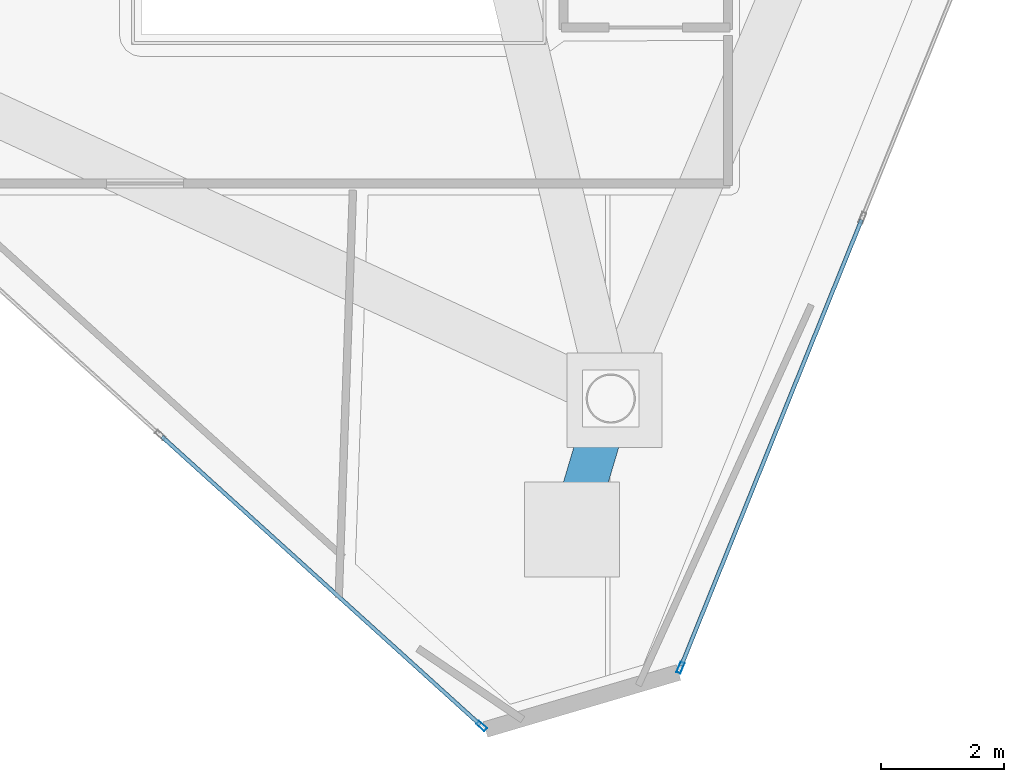
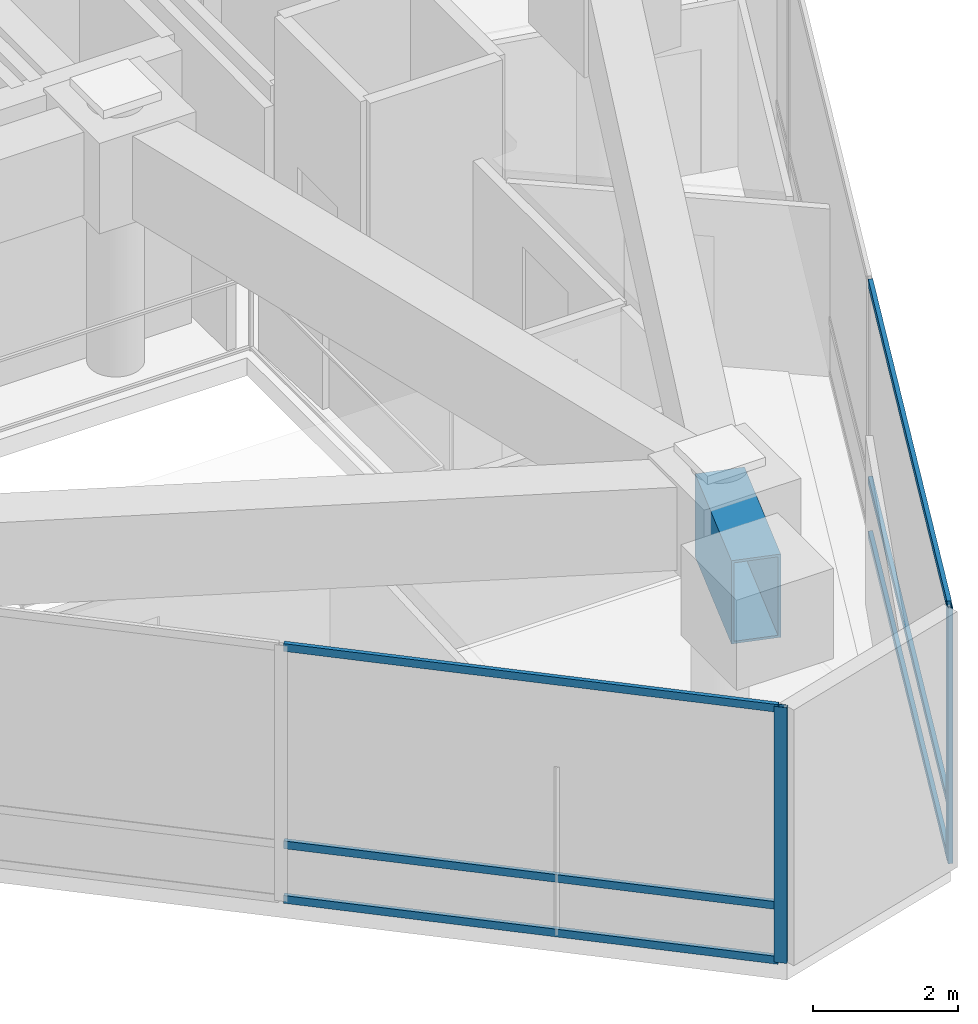
# One storey, part 3 of 17: 8 members, 1 beam, 2 elements without a shape of their own.
"""IFC4 building model written with IfcOpenShell, lengths in metres."""

from ifc_helpers import new_model, si_unit, direction, frame, origin, origin_2d, place, context, subcontext, project, spatial, hollow_rectangle, extrude, material, layer, layer_set, material_profile, profile_set, type_object, element, aggregate, save


model = new_model("IFC4")

# Units and contexts
model_context = context("Model", 3, precision=1e-05, world=origin(), true_north=direction((0.0, 1.0)))
body_context = subcontext(model_context, "Body", "Model", "MODEL_VIEW")
ifc_project = project(units=[si_unit("LENGTHUNIT", "METRE"), si_unit("AREAUNIT", "SQUARE_METRE"), si_unit("VOLUMEUNIT", "CUBIC_METRE"), si_unit("PLANEANGLEUNIT", "RADIAN"), si_unit("MASSUNIT", "GRAM", prefix="KILO")], contexts=[model_context])

# Site, building, storey
site_placement = place(None, origin())
site = spatial("IfcSite", under=ifc_project, at=site_placement, CompositionType="ELEMENT")
building_placement = place(site_placement, origin())
building = spatial("IfcBuilding", under=site, at=building_placement, Name="Qianvela Tower", CompositionType="ELEMENT")
storey_placement = place(building_placement, frame((0.0, 0.0, 351.800048828125)))
storey = spatial("IfcBuildingStorey", under=building, at=storey_placement, Name="L91", CompositionType="ELEMENT", Elevation=351.800048828125)

# Beam
ifc_material_1 = material(Name="Steel Q420GJC", Category="steel")
ifc_material_profile_1 = material_profile(ifc_material_1, hollow_rectangle(XDim=0.699951171875, YDim=1.39990234375, WallThickness=0.0400390625, at=origin_2d()), Name="TG-BOX-1400x700x40")
ifc_profile_set_1 = profile_set([ifc_material_profile_1], Name="Steel Q420GJC")
beam_type = type_object("IfcBeamType", Name="BM-TG-STEP-1400", PredefinedType="BEAM", material=ifc_profile_set_1)
beam_placement = place(storey_placement, frame((41.217041015625, 12.087890625, 3.597900390625), z_axis=(-0.285128169585, -0.958489398433, 0.0), x_axis=(0.958489398433, -0.285128169585, 0.0)))
element("IfcBeam", 1, at=beam_placement, inside=storey, type_object=beam_type, Name="L91 Crown Post Step Transfer Girder 2", PredefinedType="BEAM", context=body_context, shape_type="SweptSolid", body=[
    extrude(hollow_rectangle(XDim=0.699951171875, YDim=1.39990234375, WallThickness=0.0400390625, at=origin_2d()), origin(), (0.0, 0.0, 1.0), 2.150146484375),
])

# Curtain wall, member
ifc_material_2 = material(Name="Anodised Architectural Aluminium and Low-E Glass", Category="aluminium")
ifc_layer = layer(ifc_material_2, 0.18994140625)
ifc_layer_set = layer_set([ifc_layer], Name="Anodised Architectural Aluminium and Low-E Glass")
curtain_wall_type = type_object("IfcCurtainWallType", Name="CW-SKYLOBBY", PredefinedType="USERDEFINED", material=ifc_layer_set)
curtain_wall_1_placement = place(storey_placement, origin())
curtain_wall_1 = element("IfcCurtainWall", 2, at=curtain_wall_1_placement, inside=storey, type_object=curtain_wall_type, Name="L91 CW-SKYLOBBY Curtain Wall 04", ObjectType="CURTAIN_WALL_SYSTEM", PredefinedType="USERDEFINED")
ifc_material_3 = material(Name="Anodised Architectural Aluminium 6063-T6", Category="aluminium")
ifc_material_profile_2 = material_profile(ifc_material_3, hollow_rectangle(XDim=0.070068359375, YDim=0.179931640625, WallThickness=0.0048828125, at=origin_2d()), Name="ALU-MULL-70x180")
ifc_profile_set_2 = profile_set([ifc_material_profile_2], Name="Anodised Architectural Aluminium 6063-T6")
member_type_1 = type_object("IfcMemberType", Name="CW-SKYLOBBY-MULL", PredefinedType="MULLION", material=ifc_profile_set_2)
member_1_placement = place(storey_placement, frame((39.11962890625, 6.77099609375, 0.0), z_axis=(0.0, 0.0, 1.0), x_axis=(0.671203127523, 0.741273472885, 0.0)))
member_1 = element("IfcMember", 3, at=member_1_placement, type_object=member_type_1, Name="CW-7 mullion 5", PredefinedType="MULLION", context=body_context, shape_type="SweptSolid", body=[
    extrude(hollow_rectangle(XDim=0.070068359375, YDim=0.179931640625, WallThickness=0.0048828125, at=origin_2d()), origin(), (0.0, 0.0, 1.0), 4.300048828125),
])

curtain_wall_2_placement = place(storey_placement, origin())
curtain_wall_2 = element("IfcCurtainWall", 4, at=curtain_wall_2_placement, inside=storey, type_object=curtain_wall_type, Name="L91 CW-SKYLOBBY Curtain Wall 06", ObjectType="CURTAIN_WALL_SYSTEM", PredefinedType="USERDEFINED")
member_2_placement = place(storey_placement, frame((42.3486328125, 7.71826171875, 0.0), z_axis=(0.0, 0.0, 1.0), x_axis=(-0.927091753568, 0.374834470756, 0.0)))
member_2 = element("IfcMember", 5, at=member_2_placement, type_object=member_type_1, Name="CW-7 mullion 1", PredefinedType="MULLION", context=body_context, shape_type="SweptSolid", body=[
    extrude(hollow_rectangle(XDim=0.070068359375, YDim=0.179931640625, WallThickness=0.0048828125, at=origin_2d()), origin(), (0.0, 0.0, 1.0), 4.300048828125),
])

# Member
ifc_material_4 = material(Name="Anodised Architectural Aluminium 6063-T6", Category="aluminium")
ifc_material_profile_3 = material_profile(ifc_material_4, hollow_rectangle(XDim=0.06494140625, YDim=0.1298828125, WallThickness=0.00439453125, at=origin_2d()), Name="ALU-TRAN-65x130")
ifc_profile_set_3 = profile_set([ifc_material_profile_3], Name="Anodised Architectural Aluminium 6063-T6")
member_type_2 = type_object("IfcMemberType", Name="CW-SKYLOBBY-TRAN", PredefinedType="USERDEFINED", material=ifc_profile_set_3)
member_3_placement = place(storey_placement, frame((33.929931640625, 11.469970703125, 0.032470703125), z_axis=(0.741269188312, -0.671207859355, 0.0), x_axis=(0.671207859355, 0.741269188312, 0.0)))
member_3 = element("IfcMember", 6, at=member_3_placement, type_object=member_type_2, Name="CW-7 transom 4.1", ObjectType="TRANSOM", PredefinedType="USERDEFINED", context=body_context, shape_type="SweptSolid", body=[
    extrude(hollow_rectangle(XDim=0.06494140625, YDim=0.1298828125, WallThickness=0.00439453125, at=origin_2d()), origin(), (0.0, 0.0, 1.0), 6.9658203125),
])

member_4_placement = place(storey_placement, frame((33.929931640625, 11.469970703125, 0.949951171875), z_axis=(0.741269188312, -0.671207859355, 0.0), x_axis=(0.671207859355, 0.741269188312, 0.0)))
member_4 = element("IfcMember", 7, at=member_4_placement, type_object=member_type_2, Name="CW-7 transom 4.2", ObjectType="TRANSOM", PredefinedType="USERDEFINED", context=body_context, shape_type="SweptSolid", body=[
    extrude(hollow_rectangle(XDim=0.06494140625, YDim=0.1298828125, WallThickness=0.00439453125, at=origin_2d()), origin(), (0.0, 0.0, 1.0), 6.9658203125),
])

member_5_placement = place(storey_placement, frame((33.929931640625, 11.469970703125, 4.267333984375), z_axis=(0.741269188312, -0.671207859355, 0.0), x_axis=(0.671207859355, 0.741269188312, 0.0)))
member_5 = element("IfcMember", 8, at=member_5_placement, type_object=member_type_2, Name="CW-7 transom 4.3", ObjectType="TRANSOM", PredefinedType="USERDEFINED", context=body_context, shape_type="SweptSolid", body=[
    extrude(hollow_rectangle(XDim=0.06494140625, YDim=0.1298828125, WallThickness=0.00439453125, at=origin_2d()), origin(), (0.0, 0.0, 1.0), 6.9658203125),
])

aggregate(curtain_wall_1, [member_1, member_3, member_4, member_5])

member_6_placement = place(storey_placement, frame((42.36181640625, 7.750732421875, 0.032470703125), z_axis=(0.374827486243, 0.92709457746, 0.0), x_axis=(-0.92709457746, 0.374827486243, 0.0)))
member_6 = element("IfcMember", 9, at=member_6_placement, type_object=member_type_2, Name="CW-7 transom 1.1", ObjectType="TRANSOM", PredefinedType="USERDEFINED", context=body_context, shape_type="SweptSolid", body=[
    extrude(hollow_rectangle(XDim=0.06494140625, YDim=0.1298828125, WallThickness=0.00439453125, at=origin_2d()), origin(), (0.0, 0.0, 1.0), 7.808349609375),
])

member_7_placement = place(storey_placement, frame((42.36181640625, 7.750732421875, 0.949951171875), z_axis=(0.374827486243, 0.92709457746, 0.0), x_axis=(-0.92709457746, 0.374827486243, 0.0)))
member_7 = element("IfcMember", 10, at=member_7_placement, type_object=member_type_2, Name="CW-7 transom 1.2", ObjectType="TRANSOM", PredefinedType="USERDEFINED", context=body_context, shape_type="SweptSolid", body=[
    extrude(hollow_rectangle(XDim=0.06494140625, YDim=0.1298828125, WallThickness=0.00439453125, at=origin_2d()), origin(), (0.0, 0.0, 1.0), 7.808349609375),
])

member_8_placement = place(storey_placement, frame((42.36181640625, 7.750732421875, 4.267333984375), z_axis=(0.374827486243, 0.92709457746, 0.0), x_axis=(-0.92709457746, 0.374827486243, 0.0)))
member_8 = element("IfcMember", 11, at=member_8_placement, type_object=member_type_2, Name="CW-7 transom 1.3", ObjectType="TRANSOM", PredefinedType="USERDEFINED", context=body_context, shape_type="SweptSolid", body=[
    extrude(hollow_rectangle(XDim=0.06494140625, YDim=0.1298828125, WallThickness=0.00439453125, at=origin_2d()), origin(), (0.0, 0.0, 1.0), 7.808349609375),
])

aggregate(curtain_wall_2, [member_2, member_6, member_7, member_8])

save(model, "model.ifc")
